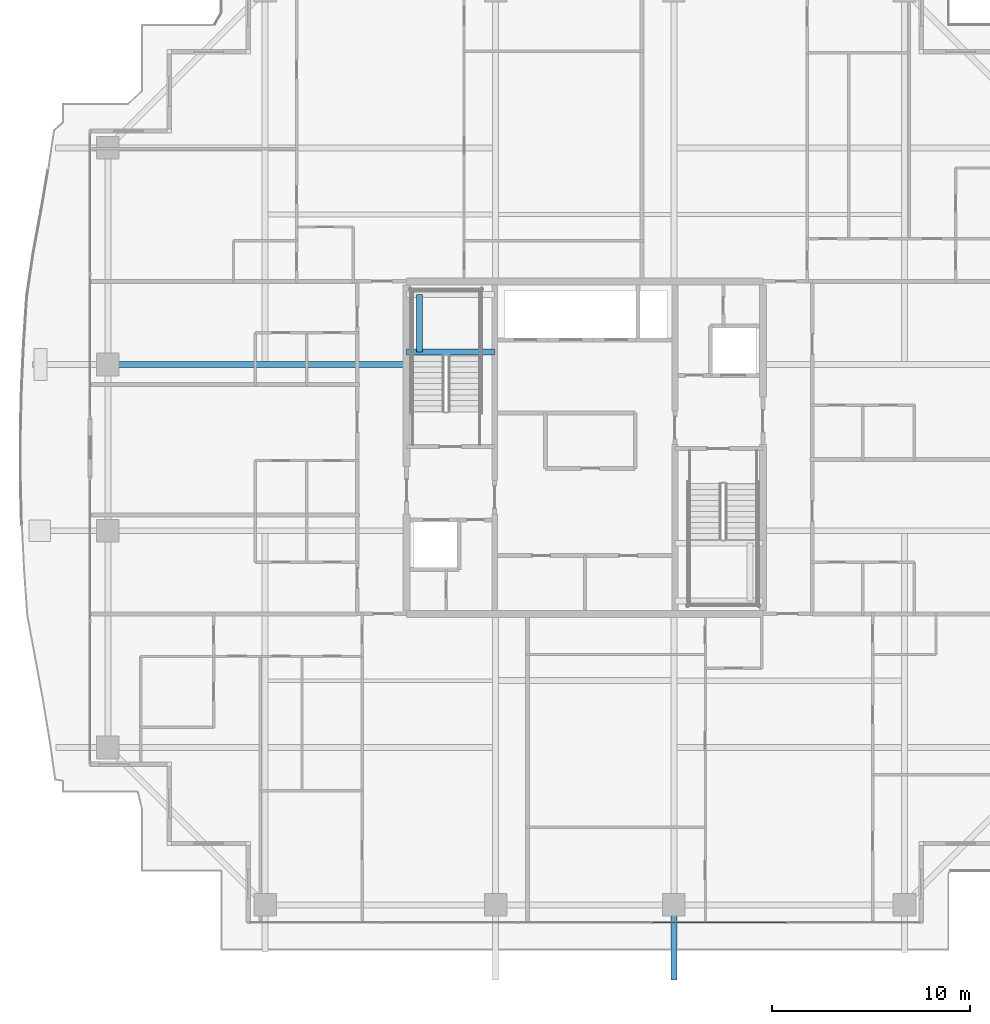
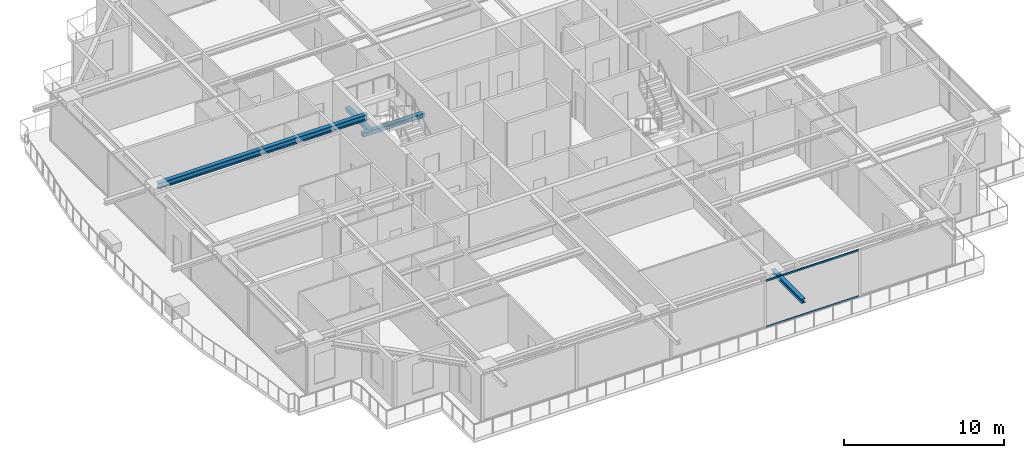
# One storey, part 11 of 38: 4 beams, 2 members, 1 element without a shape of its own.
"""IFC4 building model written with IfcOpenShell, lengths in metres."""

from ifc_helpers import new_model, si_unit, direction, frame, origin, origin_2d, place, context, subcontext, project, spatial, rectangle, hollow_rectangle, i_section, extrude, source, transform, mapped, material, layer, layer_set, material_profile, profile_set, type_object, element, aggregate, save


model = new_model("IFC4")

# Units and contexts
model_context = context("Model", 3, precision=1e-05, world=origin(), true_north=direction((0.0, 1.0)))
body_context = subcontext(model_context, "Body", "Model", "MODEL_VIEW")
ifc_project = project(units=[si_unit("LENGTHUNIT", "METRE"), si_unit("AREAUNIT", "SQUARE_METRE"), si_unit("VOLUMEUNIT", "CUBIC_METRE"), si_unit("PLANEANGLEUNIT", "RADIAN"), si_unit("MASSUNIT", "GRAM", prefix="KILO")], contexts=[model_context])

# Site, building, storey
site_placement = place(None, origin())
site = spatial("IfcSite", under=ifc_project, at=site_placement, CompositionType="ELEMENT")
building_placement = place(site_placement, origin())
building = spatial("IfcBuilding", under=site, at=building_placement, Name="Serunith Strait Residences", CompositionType="ELEMENT")
storey_placement = place(building_placement, frame((0.0, 0.0, 237.39990234375)))
storey = spatial("IfcBuildingStorey", under=building, at=storey_placement, Name="L59", CompositionType="ELEMENT", Elevation=237.39990234375)

# Beams
ifc_material_1 = material(Name="Steel S355J2", Category="steel")
ifc_material_profile_1 = material_profile(ifc_material_1, i_section(OverallWidth=0.300048828125, OverallDepth=0.449951171875, WebThickness=0.013916015625, FlangeThickness=0.02587890625, FilletRadius=0.027099609375, at=origin_2d()), Name="HEB 450")
ifc_profile_set_1 = profile_set([ifc_material_profile_1], Name="Steel S355J2")
beam_type_1 = type_object("IfcBeamType", Name="BM-HEB450", PredefinedType="BEAM", material=ifc_profile_set_1)
shared_shape_1 = source(origin(), body_context, "Body", "SweptSolid", [
    extrude(i_section(OverallWidth=0.300048828125, OverallDepth=0.449951171875, WebThickness=0.013916015625, FlangeThickness=0.02587890625, FilletRadius=0.027099609375, at=origin_2d()), origin(), (0.0, 0.0, 1.0), 15.099853515625),
])
beam_1_placement = place(storey_placement, frame((23.39990234375, 29.39990234375, 3.362060546875), z_axis=(-1.0, 0.0, 0.0), x_axis=(0.0, -1.0, 0.0)))
element("IfcBeam", 1, at=beam_1_placement, inside=storey, type_object=beam_type_1, Name="L59 Primary Floor Girder TC-W3", PredefinedType="BEAM", context=body_context, shape_type="MappedRepresentation", body=[
    mapped(shared_shape_1, transform((0.0, 0.0, 0.0), scale=1.0)),
])
ifc_material_profile_2 = material_profile(ifc_material_1, i_section(OverallWidth=0.300048828125, OverallDepth=0.320068359375, WebThickness=0.011474609375, FlangeThickness=0.0205078125, FilletRadius=0.027099609375, at=origin_2d()), Name="HEB 320")
ifc_profile_set_2 = profile_set([ifc_material_profile_2], Name="Steel S355J2")
beam_type_2 = type_object("IfcBeamType", Name="BM-HEB320", PredefinedType="BEAM", material=ifc_profile_set_2)
shared_shape_2 = source(origin(), body_context, "Body", "SweptSolid", [
    extrude(i_section(OverallWidth=0.300048828125, OverallDepth=0.320068359375, WebThickness=0.011474609375, FlangeThickness=0.0205078125, FilletRadius=0.027099609375, at=origin_2d()), origin(), (0.0, 0.0, 1.0), 3.800048828125),
])
beam_2_placement = place(storey_placement, frame((36.89990234375, 2.10009765625, 3.397216796875), z_axis=(0.0, -1.0, 0.0), x_axis=(1.0, 0.0, 0.0)))
element("IfcBeam", 2, at=beam_2_placement, inside=storey, type_object=beam_type_2, Name="L60 Cantilevered Balcony Rib TC-S3", PredefinedType="BEAM", context=body_context, shape_type="MappedRepresentation", body=[
    mapped(shared_shape_2, transform((0.0, 0.0, 0.0), scale=1.0)),
])
ifc_material_2 = material(Name="Concrete C60/75", Category="concrete")
ifc_material_profile_3 = material_profile(ifc_material_2, rectangle(XDim=0.300048828125, YDim=0.300048828125, at=origin_2d()), Name="RC 300x300")
ifc_profile_set_3 = profile_set([ifc_material_profile_3], Name="Concrete C60/75")
beam_type_3 = type_object("IfcBeamType", Name="BM-LAND-300x300", PredefinedType="BEAM", material=ifc_profile_set_3)
shared_shape_3 = source(origin(), body_context, "Body", "SweptSolid", [
    extrude(rectangle(XDim=0.300048828125, YDim=0.300048828125, at=origin_2d()), origin(), (0.0, 0.0, 1.0), 4.4501953125),
])
beam_3_placement = place(storey_placement, frame((23.39990234375, 30.030029296875, 1.5751953125), z_axis=(1.0, 0.0, 0.0), x_axis=(0.0, 1.0, 0.0)))
element("IfcBeam", 3, at=beam_3_placement, inside=storey, type_object=beam_type_3, Name="L59 ST-1 Landing Support Beam 1", PredefinedType="BEAM", context=body_context, shape_type="MappedRepresentation", body=[
    mapped(shared_shape_3, transform((0.0, 0.0, 0.0), scale=1.0)),
])
shared_shape_4 = source(origin(), body_context, "Body", "SweptSolid", [
    extrude(rectangle(XDim=0.300048828125, YDim=0.300048828125, at=origin_2d()), origin(), (0.0, 0.0, 1.0), 2.919921875),
])
beam_4_placement = place(storey_placement, frame((24.050048828125, 30.030029296875, 1.5751953125), z_axis=(0.0, 1.0, 0.0), x_axis=(-1.0, 0.0, 0.0)))
element("IfcBeam", 4, at=beam_4_placement, inside=storey, type_object=beam_type_3, Name="L59 ST-1 Landing Transverse Tie Beam", PredefinedType="BEAM", context=body_context, shape_type="MappedRepresentation", body=[
    mapped(shared_shape_4, transform((0.0, 0.0, 0.0), scale=1.0)),
])

# Curtain wall, members
ifc_material_3 = material(Name="Pale-Champagne Anodised Aluminium", Category="aluminium")
ifc_layer = layer(ifc_material_3, 0.199951171875, Name="Pale-Champagne Anodised Aluminium")
ifc_layer_set = layer_set([ifc_layer], Name="Pale-Champagne Anodised Aluminium")
curtain_wall_type = type_object("IfcCurtainWallType", Name="CW-SYS4", PredefinedType="NOTDEFINED", material=ifc_layer_set)
curtain_wall_placement = place(storey_placement, origin())
curtain_wall = element("IfcCurtainWall", 5, at=curtain_wall_placement, inside=storey, type_object=curtain_wall_type, Name="L59 S Unitised Fritted Curtain Wall", PredefinedType="NOTDEFINED")
ifc_material_profile_4 = material_profile(ifc_material_3, hollow_rectangle(XDim=0.06005859375, YDim=0.139892578125, WallThickness=0.00341796875, InnerFilletRadius=0.00537109375, OuterFilletRadius=0.0087890625, at=origin_2d()), Name="ALU 140x60x3.5")
ifc_profile_set_4 = profile_set([ifc_material_profile_4], Name="Pale-Champagne Anodised Aluminium")
member_type = type_object("IfcMemberType", Name="CW-SYS4-TRAN", PredefinedType="USERDEFINED", material=ifc_profile_set_4)
shared_shape_5 = source(origin(), body_context, "Body", "SweptSolid", [
    extrude(hollow_rectangle(XDim=0.06005859375, YDim=0.139892578125, WallThickness=0.00341796875, InnerFilletRadius=0.00537109375, OuterFilletRadius=0.0087890625, at=origin_2d()), origin(), (0.0, 0.0, 1.0), 6.73486328125),
])
member_1_placement = place(storey_placement, frame((35.83251953125, 1.199951171875, 0.030029296875), z_axis=(1.0, 0.0, 0.0), x_axis=(0.0, 1.0, 0.0)))
member_1 = element("IfcMember", 6, at=member_1_placement, type_object=member_type, Name="CW-4 transom 4.1", ObjectType="TRANSOM", PredefinedType="USERDEFINED", context=body_context, shape_type="MappedRepresentation", body=[
    mapped(shared_shape_5, transform((0.0, 0.0, 0.0), scale=1.0)),
])
member_2_placement = place(storey_placement, frame((35.83251953125, 1.199951171875, 3.545166015625), z_axis=(1.0, 0.0, 0.0), x_axis=(0.0, 1.0, 0.0)))
member_2 = element("IfcMember", 7, at=member_2_placement, type_object=member_type, Name="CW-4 transom 4.2", ObjectType="TRANSOM", PredefinedType="USERDEFINED", context=body_context, shape_type="MappedRepresentation", body=[
    mapped(shared_shape_5, transform((0.0, 0.0, 0.0), scale=1.0)),
])
aggregate(curtain_wall, [member_1, member_2])

save(model, "model.ifc")
